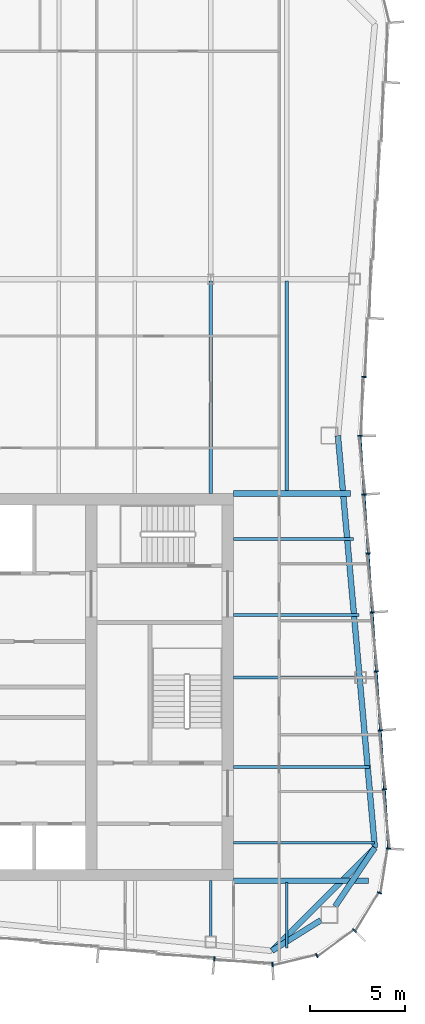
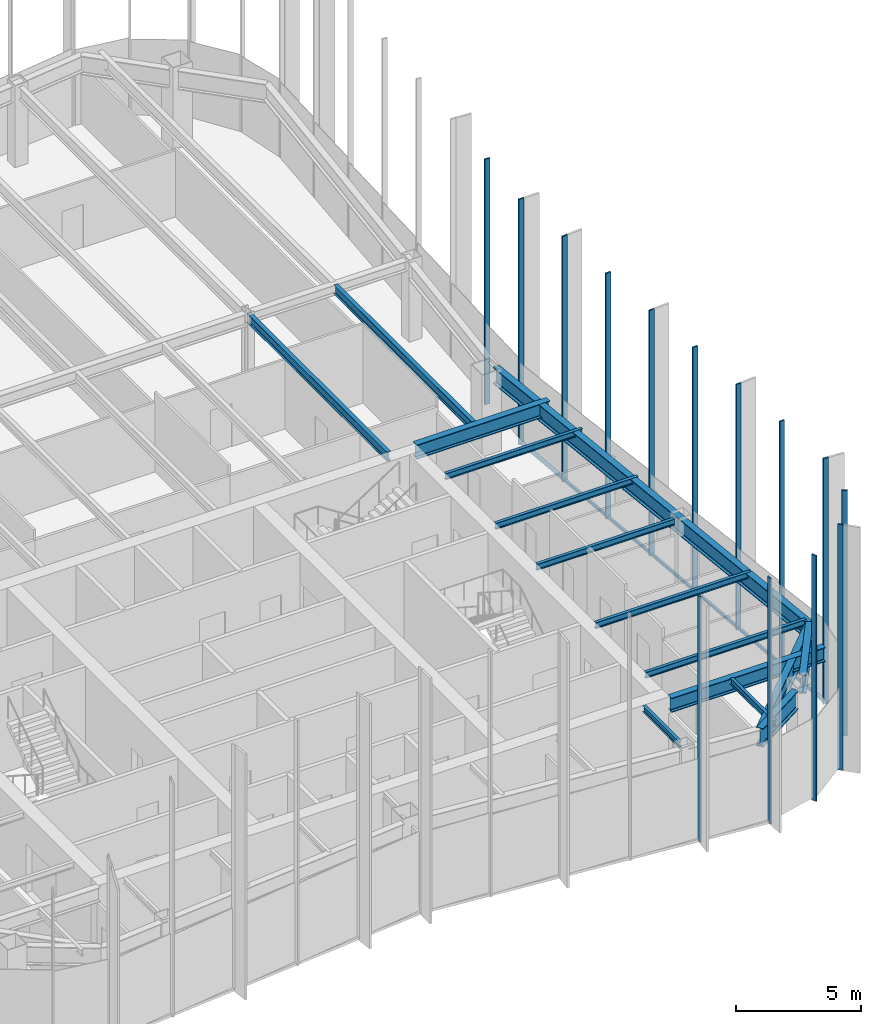
# One storey, part 5 of 13: 15 beams, 15 members, 3 elements without a shape of their own.
"""IFC4 building model written with IfcOpenShell, lengths in metres."""

from ifc_helpers import new_model, si_unit, direction, frame, origin, origin_2d, place, context, subcontext, project, spatial, rectangle, i_section, extrude, material, material_profile, profile_set, type_object, element, aggregate, save


model = new_model("IFC4")

# Units and contexts
model_context = context("Model", 3, precision=1e-05, world=origin(), true_north=direction((0.0, 1.0)))
body_context = subcontext(model_context, "Body", "Model", "MODEL_VIEW")
ifc_project = project(units=[si_unit("LENGTHUNIT", "METRE"), si_unit("AREAUNIT", "SQUARE_METRE"), si_unit("VOLUMEUNIT", "CUBIC_METRE"), si_unit("PLANEANGLEUNIT", "RADIAN"), si_unit("MASSUNIT", "GRAM", prefix="KILO")], contexts=[model_context])

# Site, building, storey
site_placement = place(None, origin())
site = spatial("IfcSite", under=ifc_project, at=site_placement, CompositionType="ELEMENT")
building_placement = place(site_placement, origin())
building = spatial("IfcBuilding", under=site, at=building_placement, Name="Verdant Reach Tower", CompositionType="ELEMENT")
storey_placement = place(building_placement, frame((0.0, 0.0, 306.0)))
storey = spatial("IfcBuildingStorey", under=building, at=storey_placement, Name="L70", CompositionType="ELEMENT", Elevation=306.0)

# Curtain wall, members
ifc_material_1 = material(Name="Anodised aluminium", Category="aluminium")
curtain_wall_type = type_object("IfcCurtainWallType", Name="EN-CW SYSTEM Z5", PredefinedType="NOTDEFINED", material=ifc_material_1)
curtain_wall_1_placement = place(storey_placement, origin())
curtain_wall_1 = element("IfcCurtainWall", 1, at=curtain_wall_1_placement, inside=storey, type_object=curtain_wall_type, Name="Curtain wall south-east corner, L70", PredefinedType="NOTDEFINED")
ifc_material_profile_1 = material_profile(ifc_material_1, rectangle(XDim=0.22998046875, YDim=0.070068359375, at=origin_2d()), Name="Mullion 70x230")
ifc_profile_set_1 = profile_set([ifc_material_profile_1], Name="Anodised aluminium")
member_type_1 = type_object("IfcMemberType", Name="EN-MULLION Z5", PredefinedType="MULLION", material=ifc_profile_set_1)
member_1_placement = place(storey_placement, frame((15.255615234375, 13.38525390625, -0.35009765625), z_axis=(0.0, 0.0, 1.0), x_axis=(0.049127596288, -0.998792510626, 0.0)))
member_1 = element("IfcMember", 2, at=member_1_placement, type_object=member_type_1, Name="Mullion south-east corner 1, L70", PredefinedType="MULLION", context=body_context, shape_type="SweptSolid", body=[
    extrude(rectangle(XDim=0.22998046875, YDim=0.070068359375, at=origin_2d()), origin(), (0.0, 0.0, 1.0), 12.0),
])
member_2_placement = place(storey_placement, frame((17.590087890625, 13.850341796875, -0.35009765625), z_axis=(0.0, 0.0, 1.0), x_axis=(0.382693853776, -0.923875215753, 0.0)))
member_2 = element("IfcMember", 3, at=member_2_placement, type_object=member_type_1, Name="Mullion south-east corner 2, L70", PredefinedType="MULLION", context=body_context, shape_type="SweptSolid", body=[
    extrude(rectangle(XDim=0.22998046875, YDim=0.070068359375, at=origin_2d()), origin(), (0.0, 0.0, 1.0), 12.0),
])
member_3_placement = place(storey_placement, frame((19.573974609375, 15.176025390625, -0.35009765625), z_axis=(0.0, 0.0, 1.0), x_axis=(0.707106781187, -0.707106781187, 0.0)))
member_3 = element("IfcMember", 4, at=member_3_placement, type_object=member_type_1, Name="Mullion south-east corner 3, L70", PredefinedType="MULLION", context=body_context, shape_type="SweptSolid", body=[
    extrude(rectangle(XDim=0.22998046875, YDim=0.070068359375, at=origin_2d()), origin(), (0.0, 0.0, 1.0), 12.0),
])
member_4_placement = place(storey_placement, frame((20.899658203125, 17.159912109375, -0.35009765625), z_axis=(0.0, 0.0, 1.0), x_axis=(0.923875215753, -0.382693853776, 0.0)))
member_4 = element("IfcMember", 5, at=member_4_placement, type_object=member_type_1, Name="Mullion south-east corner 4, L70", PredefinedType="MULLION", context=body_context, shape_type="SweptSolid", body=[
    extrude(rectangle(XDim=0.22998046875, YDim=0.070068359375, at=origin_2d()), origin(), (0.0, 0.0, 1.0), 12.0),
])
aggregate(curtain_wall_1, [member_1, member_2, member_3, member_4])

curtain_wall_2_placement = place(storey_placement, origin())
curtain_wall_2 = element("IfcCurtainWall", 6, at=curtain_wall_2_placement, inside=storey, type_object=curtain_wall_type, Name="Curtain wall east, L70", PredefinedType="NOTDEFINED")
member_5_placement = place(storey_placement, frame((21.36474609375, 19.49267578125, -0.35009765625), z_axis=(0.0, 0.0, 1.0), x_axis=(0.997969180898, -0.063698618332, 0.0)))
member_5 = element("IfcMember", 7, at=member_5_placement, type_object=member_type_1, Name="Mullion east face part 1 1, L70", PredefinedType="MULLION", context=body_context, shape_type="SweptSolid", body=[
    extrude(rectangle(XDim=0.22998046875, YDim=0.070068359375, at=origin_2d()), origin(), (0.0, 0.0, 1.0), 12.0),
])
member_6_placement = place(storey_placement, frame((21.150390625, 22.614990234375, -0.35009765625), z_axis=(0.0, 0.0, 1.0), x_axis=(0.997630328423, 0.068802091615, 0.0)))
member_6 = element("IfcMember", 8, at=member_6_placement, type_object=member_type_1, Name="Mullion east face part 1 2, L70", PredefinedType="MULLION", context=body_context, shape_type="SweptSolid", body=[
    extrude(rectangle(XDim=0.22998046875, YDim=0.070068359375, at=origin_2d()), origin(), (0.0, 0.0, 1.0), 12.0),
])
member_7_placement = place(storey_placement, frame((20.93603515625, 25.72216796875, -0.35009765625), z_axis=(0.0, 0.0, 1.0), x_axis=(0.997630328423, 0.068802091615, 0.0)))
member_7 = element("IfcMember", 9, at=member_7_placement, type_object=member_type_1, Name="Mullion east face part 1 3, L70", PredefinedType="MULLION", context=body_context, shape_type="SweptSolid", body=[
    extrude(rectangle(XDim=0.22998046875, YDim=0.070068359375, at=origin_2d()), origin(), (0.0, 0.0, 1.0), 12.0),
])
member_8_placement = place(storey_placement, frame((20.721923828125, 28.829345703125, -0.35009765625), z_axis=(0.0, 0.0, 1.0), x_axis=(0.997630328423, 0.068802091615, 0.0)))
member_8 = element("IfcMember", 10, at=member_8_placement, type_object=member_type_1, Name="Mullion east face part 1 4, L70", PredefinedType="MULLION", context=body_context, shape_type="SweptSolid", body=[
    extrude(rectangle(XDim=0.22998046875, YDim=0.070068359375, at=origin_2d()), origin(), (0.0, 0.0, 1.0), 12.0),
])
member_9_placement = place(storey_placement, frame((20.507568359375, 31.9365234375, -0.35009765625), z_axis=(0.0, 0.0, 1.0), x_axis=(0.997630328423, 0.068802091615, 0.0)))
member_9 = element("IfcMember", 11, at=member_9_placement, type_object=member_type_1, Name="Mullion east face part 1 5, L70", PredefinedType="MULLION", context=body_context, shape_type="SweptSolid", body=[
    extrude(rectangle(XDim=0.22998046875, YDim=0.070068359375, at=origin_2d()), origin(), (0.0, 0.0, 1.0), 12.0),
])
member_10_placement = place(storey_placement, frame((20.293212890625, 35.043701171875, -0.35009765625), z_axis=(0.0, 0.0, 1.0), x_axis=(0.997630328423, 0.068802091615, 0.0)))
member_10 = element("IfcMember", 12, at=member_10_placement, type_object=member_type_1, Name="Mullion east face part 1 6, L70", PredefinedType="MULLION", context=body_context, shape_type="SweptSolid", body=[
    extrude(rectangle(XDim=0.22998046875, YDim=0.070068359375, at=origin_2d()), origin(), (0.0, 0.0, 1.0), 12.0),
])
member_11_placement = place(storey_placement, frame((20.0791015625, 38.15087890625, -0.35009765625), z_axis=(0.0, 0.0, 1.0), x_axis=(0.997630328423, 0.068802091615, 0.0)))
member_11 = element("IfcMember", 13, at=member_11_placement, type_object=member_type_1, Name="Mullion east face part 1 7, L70", PredefinedType="MULLION", context=body_context, shape_type="SweptSolid", body=[
    extrude(rectangle(XDim=0.22998046875, YDim=0.070068359375, at=origin_2d()), origin(), (0.0, 0.0, 1.0), 12.0),
])
member_12_placement = place(storey_placement, frame((19.864990234375, 41.25, -0.35009765625), z_axis=(0.0, 0.0, 1.0), x_axis=(1.0, 0.0, 0.0)))
member_12 = element("IfcMember", 14, at=member_12_placement, type_object=member_type_1, Name="Mullion east face part 2 1, L70", PredefinedType="MULLION", context=body_context, shape_type="SweptSolid", body=[
    extrude(rectangle(XDim=0.22998046875, YDim=0.070068359375, at=origin_2d()), origin(), (0.0, 0.0, 1.0), 12.0),
])
member_13_placement = place(storey_placement, frame((20.0791015625, 44.34912109375, -0.35009765625), z_axis=(0.0, 0.0, 1.0), x_axis=(0.997630328423, -0.068802091615, 0.0)))
member_13 = element("IfcMember", 15, at=member_13_placement, type_object=member_type_1, Name="Mullion east face part 2 2, L70", PredefinedType="MULLION", context=body_context, shape_type="SweptSolid", body=[
    extrude(rectangle(XDim=0.22998046875, YDim=0.070068359375, at=origin_2d()), origin(), (0.0, 0.0, 1.0), 12.0),
])

# Curtain wall, member
curtain_wall_3_placement = place(storey_placement, origin())
curtain_wall_3 = element("IfcCurtainWall", 16, at=curtain_wall_3_placement, inside=storey, type_object=curtain_wall_type, Name="Curtain wall south, L70", PredefinedType="NOTDEFINED")
member_14_placement = place(storey_placement, frame((12.188720703125, 13.685546875, -0.35009765625), z_axis=(0.0, 0.0, 1.0), x_axis=(-0.09788826992, -0.995197410875, 0.0)))
member_14 = element("IfcMember", 17, at=member_14_placement, type_object=member_type_1, Name="Mullion south face part 2 5, L70", PredefinedType="MULLION", context=body_context, shape_type="SweptSolid", body=[
    extrude(rectangle(XDim=0.22998046875, YDim=0.070068359375, at=origin_2d()), origin(), (0.0, 0.0, 1.0), 12.0),
])
aggregate(curtain_wall_3, [member_14])

# Member
ifc_material_profile_2 = material_profile(ifc_material_1, rectangle(XDim=0.10009765625, YDim=0.1298828125, at=origin_2d()), Name="Transom 130x100")
ifc_profile_set_2 = profile_set([ifc_material_profile_2], Name="Anodised aluminium")
member_type_2 = type_object("IfcMemberType", Name="EN-TRANSOM Z5", PredefinedType="USERDEFINED", material=ifc_profile_set_2)
member_15_placement = place(storey_placement, frame((21.3623046875, 19.527587890625, -0.284912109375), z_axis=(-0.068764705107, 0.997632906099, 0.0), x_axis=(-0.997632906099, -0.068764705107, 0.0)))
member_15 = element("IfcMember", 18, at=member_15_placement, type_object=member_type_2, Name="Transom east face part 1 1.1, L70", ObjectType="TRANSOM", PredefinedType="USERDEFINED", context=body_context, shape_type="SweptSolid", body=[
    extrude(rectangle(XDim=0.10009765625, YDim=0.1298828125, at=origin_2d()), origin(), (0.0, 0.0, 1.0), 21.739013671875),
])

aggregate(curtain_wall_2, [member_5, member_6, member_7, member_8, member_9, member_10, member_11, member_15, member_12, member_13])

# Beams
ifc_material_2 = material(Name="Steel S355", Category="steel")
ifc_material_profile_3 = material_profile(ifc_material_2, i_section(OverallWidth=0.300048828125, OverallDepth=0.699951171875, WebThickness=0.01708984375, FlangeThickness=0.031982421875, FilletRadius=0.027099609375, at=origin_2d()), Name="HEB 700")
ifc_profile_set_3 = profile_set([ifc_material_profile_3], Name="Steel S355")
beam_type_1 = type_object("IfcBeamType", Name="ST-BEAM-HEB700", PredefinedType="BEAM", material=ifc_profile_set_3)
beam_1_placement = place(storey_placement, frame((13.199951171875, 38.199951171875, 3.52001953125), z_axis=(1.0, 0.0, 0.0), x_axis=(0.0, 1.0, 0.0)))
element("IfcBeam", 19, at=beam_1_placement, inside=storey, type_object=beam_type_1, Name="Trimmer beam, L70", PredefinedType="BEAM", context=body_context, shape_type="SweptSolid", body=[
    extrude(i_section(OverallWidth=0.300048828125, OverallDepth=0.699951171875, WebThickness=0.01708984375, FlangeThickness=0.031982421875, FilletRadius=0.027099609375, at=origin_2d()), origin(), (0.0, 0.0, 1.0), 6.158935546875),
])
beam_2_placement = place(storey_placement, frame((13.199951171875, 17.800048828125, 3.52001953125), z_axis=(1.0, 0.0, 0.0), x_axis=(0.0, 1.0, 0.0)))
element("IfcBeam", 20, at=beam_2_placement, inside=storey, type_object=beam_type_1, Name="Trimmer beam, L70", PredefinedType="BEAM", context=body_context, shape_type="SweptSolid", body=[
    extrude(i_section(OverallWidth=0.300048828125, OverallDepth=0.699951171875, WebThickness=0.01708984375, FlangeThickness=0.031982421875, FilletRadius=0.027099609375, at=origin_2d()), origin(), (0.0, 0.0, 1.0), 7.10009765625),
])
ifc_material_profile_4 = material_profile(ifc_material_2, i_section(OverallWidth=0.302001953125, OverallDepth=0.909912109375, WebThickness=0.02099609375, FlangeThickness=0.0400390625, FilletRadius=0.030029296875, at=origin_2d()), Name="HEM 900")
ifc_profile_set_4 = profile_set([ifc_material_profile_4], Name="Steel S355")
beam_type_2 = type_object("IfcBeamType", Name="ST-BEAM-HEM900", PredefinedType="BEAM", material=ifc_profile_set_4)
beam_3_placement = place(storey_placement, frame((17.800048828125, 15.71875, 3.4150390625), z_axis=(-0.847903624467, -0.530150397166, 0.0), x_axis=(0.530150397166, -0.847903624467, 0.0)))
element("IfcBeam", 21, at=beam_3_placement, inside=storey, type_object=beam_type_2, Name="Column stub beam, L70", PredefinedType="BEAM", context=body_context, shape_type="SweptSolid", body=[
    extrude(i_section(OverallWidth=0.302001953125, OverallDepth=0.909912109375, WebThickness=0.02099609375, FlangeThickness=0.0400390625, FilletRadius=0.030029296875, at=origin_2d()), origin(), (0.0, 0.0, 1.0), 3.042724609375),
])
beam_4_placement = place(storey_placement, frame((18.5546875, 16.449951171875, 3.4150390625), z_axis=(0.560667226688, 0.828041219335, 0.0), x_axis=(-0.828041219335, 0.560667226688, 0.0)))
element("IfcBeam", 22, at=beam_4_placement, inside=storey, type_object=beam_type_2, Name="Column stub beam, L70", PredefinedType="BEAM", context=body_context, shape_type="SweptSolid", body=[
    extrude(i_section(OverallWidth=0.302001953125, OverallDepth=0.909912109375, WebThickness=0.02099609375, FlangeThickness=0.0400390625, FilletRadius=0.030029296875, at=origin_2d()), origin(), (0.0, 0.0, 1.0), 3.72998046875),
])
ifc_material_profile_5 = material_profile(ifc_material_2, i_section(OverallWidth=0.14990234375, OverallDepth=0.300048828125, WebThickness=0.007080078125, FlangeThickness=0.0107421875, FilletRadius=0.014892578125, at=origin_2d()), Name="IPE 300")
ifc_profile_set_5 = profile_set([ifc_material_profile_5], Name="Steel S355")
beam_type_3 = type_object("IfcBeamType", Name="ST-JOIST-IPE300", PredefinedType="JOIST", material=ifc_profile_set_5)
beam_5_placement = place(storey_placement, frame((12.0, 17.800048828125, 3.719970703125), z_axis=(0.0, -1.0, 0.0), x_axis=(1.0, 0.0, 0.0)))
element("IfcBeam", 23, at=beam_5_placement, inside=storey, type_object=beam_type_3, Name="Floor joist, L70", PredefinedType="JOIST", context=body_context, shape_type="SweptSolid", body=[
    extrude(i_section(OverallWidth=0.14990234375, OverallDepth=0.300048828125, WebThickness=0.007080078125, FlangeThickness=0.0107421875, FilletRadius=0.014892578125, at=origin_2d()), origin(), (0.0, 0.0, 1.0), 2.930419921875),
])
beam_6_placement = place(storey_placement, frame((16.0, 17.699951171875, 3.719970703125), z_axis=(0.0, -1.0, 0.0), x_axis=(1.0, 0.0, 0.0)))
element("IfcBeam", 24, at=beam_6_placement, inside=storey, type_object=beam_type_3, Name="Floor joist, L70", PredefinedType="JOIST", context=body_context, shape_type="SweptSolid", body=[
    extrude(i_section(OverallWidth=0.14990234375, OverallDepth=0.300048828125, WebThickness=0.007080078125, FlangeThickness=0.0107421875, FilletRadius=0.014892578125, at=origin_2d()), origin(), (0.0, 0.0, 1.0), 3.43896484375),
])
beam_7_placement = place(storey_placement, frame((13.199951171875, 19.800048828125, 3.719970703125), z_axis=(1.0, 0.0, 0.0), x_axis=(0.0, 1.0, 0.0)))
element("IfcBeam", 25, at=beam_7_placement, inside=storey, type_object=beam_type_3, Name="Floor joist, L70", PredefinedType="JOIST", context=body_context, shape_type="SweptSolid", body=[
    extrude(i_section(OverallWidth=0.14990234375, OverallDepth=0.300048828125, WebThickness=0.007080078125, FlangeThickness=0.0107421875, FilletRadius=0.014892578125, at=origin_2d()), origin(), (0.0, 0.0, 1.0), 7.427978515625),
])
beam_8_placement = place(storey_placement, frame((13.199951171875, 23.800048828125, 3.719970703125), z_axis=(1.0, 0.0, 0.0), x_axis=(0.0, 1.0, 0.0)))
element("IfcBeam", 26, at=beam_8_placement, inside=storey, type_object=beam_type_3, Name="Floor joist, L70", PredefinedType="JOIST", context=body_context, shape_type="SweptSolid", body=[
    extrude(i_section(OverallWidth=0.14990234375, OverallDepth=0.300048828125, WebThickness=0.007080078125, FlangeThickness=0.0107421875, FilletRadius=0.014892578125, at=origin_2d()), origin(), (0.0, 0.0, 1.0), 7.152099609375),
])
beam_9_placement = place(storey_placement, frame((13.199951171875, 28.5, 3.719970703125), z_axis=(1.0, 0.0, 0.0), x_axis=(0.0, 1.0, 0.0)))
element("IfcBeam", 27, at=beam_9_placement, inside=storey, type_object=beam_type_3, Name="Floor joist, L70", PredefinedType="JOIST", context=body_context, shape_type="SweptSolid", body=[
    extrude(i_section(OverallWidth=0.14990234375, OverallDepth=0.300048828125, WebThickness=0.007080078125, FlangeThickness=0.0107421875, FilletRadius=0.014892578125, at=origin_2d()), origin(), (0.0, 0.0, 1.0), 6.37939453125),
])
beam_10_placement = place(storey_placement, frame((13.199951171875, 31.800048828125, 3.719970703125), z_axis=(1.0, 0.0, 0.0), x_axis=(0.0, 1.0, 0.0)))
element("IfcBeam", 28, at=beam_10_placement, inside=storey, type_object=beam_type_3, Name="Floor joist, L70", PredefinedType="JOIST", context=body_context, shape_type="SweptSolid", body=[
    extrude(i_section(OverallWidth=0.14990234375, OverallDepth=0.300048828125, WebThickness=0.007080078125, FlangeThickness=0.0107421875, FilletRadius=0.014892578125, at=origin_2d()), origin(), (0.0, 0.0, 1.0), 6.600341796875),
])
beam_11_placement = place(storey_placement, frame((13.199951171875, 35.800048828125, 3.719970703125), z_axis=(1.0, 0.0, 0.0), x_axis=(0.0, 1.0, 0.0)))
element("IfcBeam", 29, at=beam_11_placement, inside=storey, type_object=beam_type_3, Name="Floor joist, L70", PredefinedType="JOIST", context=body_context, shape_type="SweptSolid", body=[
    extrude(i_section(OverallWidth=0.14990234375, OverallDepth=0.300048828125, WebThickness=0.007080078125, FlangeThickness=0.0107421875, FilletRadius=0.014892578125, at=origin_2d()), origin(), (0.0, 0.0, 1.0), 6.324462890625),
])
ifc_material_profile_6 = material_profile(ifc_material_2, i_section(OverallWidth=0.18994140625, OverallDepth=0.449951171875, WebThickness=0.009521484375, FlangeThickness=0.0146484375, FilletRadius=0.02099609375, at=origin_2d()), Name="IPE 450")
ifc_profile_set_6 = profile_set([ifc_material_profile_6], Name="Steel S355")
beam_type_4 = type_object("IfcBeamType", Name="ST-JOIST-IPE450", PredefinedType="JOIST", material=ifc_profile_set_6)
beam_12_placement = place(storey_placement, frame((12.0, 38.199951171875, 3.64501953125), z_axis=(0.0, 1.0, 0.0), x_axis=(-1.0, 0.0, 0.0)))
element("IfcBeam", 30, at=beam_12_placement, inside=storey, type_object=beam_type_4, Name="Floor joist, L70", PredefinedType="JOIST", context=body_context, shape_type="SweptSolid", body=[
    extrude(i_section(OverallWidth=0.18994140625, OverallDepth=0.449951171875, WebThickness=0.009521484375, FlangeThickness=0.0146484375, FilletRadius=0.02099609375, at=origin_2d()), origin(), (0.0, 0.0, 1.0), 11.199951171875),
])
beam_13_placement = place(storey_placement, frame((16.0, 38.300048828125, 3.64501953125), z_axis=(0.0, 1.0, 0.0), x_axis=(-1.0, 0.0, 0.0)))
element("IfcBeam", 31, at=beam_13_placement, inside=storey, type_object=beam_type_4, Name="Floor joist, L70", PredefinedType="JOIST", context=body_context, shape_type="SweptSolid", body=[
    extrude(i_section(OverallWidth=0.18994140625, OverallDepth=0.449951171875, WebThickness=0.009521484375, FlangeThickness=0.0146484375, FilletRadius=0.02099609375, at=origin_2d()), origin(), (0.0, 0.0, 1.0), 11.099853515625),
])
ifc_material_profile_7 = material_profile(ifc_material_2, i_section(OverallWidth=0.300048828125, OverallDepth=0.800048828125, WebThickness=0.017578125, FlangeThickness=0.032958984375, FilletRadius=0.030029296875, at=origin_2d()), Name="HEB 800")
ifc_profile_set_7 = profile_set([ifc_material_profile_7], Name="Steel S355")
beam_type_5 = type_object("IfcBeamType", Name="ST-SPANDREL-HEB800", PredefinedType="SPANDREL", material=ifc_profile_set_7)
beam_14_placement = place(storey_placement, frame((18.699951171875, 41.25, 3.469970703125), z_axis=(0.089274399498, -0.996007069048, 0.0), x_axis=(0.996007069048, 0.089274399498, 0.0)))
element("IfcBeam", 32, at=beam_14_placement, inside=storey, type_object=beam_type_5, Name="Edge beam, L70", PredefinedType="SPANDREL", context=body_context, shape_type="SweptSolid", body=[
    extrude(i_section(OverallWidth=0.300048828125, OverallDepth=0.800048828125, WebThickness=0.017578125, FlangeThickness=0.032958984375, FilletRadius=0.030029296875, at=origin_2d()), origin(), (0.0, 0.0, 1.0), 21.798583984375),
])
ifc_material_profile_8 = material_profile(ifc_material_2, i_section(OverallWidth=0.302001953125, OverallDepth=0.909912109375, WebThickness=0.02099609375, FlangeThickness=0.0400390625, FilletRadius=0.030029296875, at=origin_2d()), Name="HEM 900")
ifc_profile_set_8 = profile_set([ifc_material_profile_8], Name="Steel S355")
beam_type_6 = type_object("IfcBeamType", Name="ST-SPANDREL-HEM900", PredefinedType="SPANDREL", material=ifc_profile_set_8)
beam_15_placement = place(storey_placement, frame((20.64599609375, 19.53857421875, 3.4150390625), z_axis=(-0.706645581521, -0.707567680237, 0.0), x_axis=(0.707567680237, -0.706645581521, 0.0)))
element("IfcBeam", 33, at=beam_15_placement, inside=storey, type_object=beam_type_6, Name="Edge beam, L70", PredefinedType="SPANDREL", context=body_context, shape_type="SweptSolid", body=[
    extrude(i_section(OverallWidth=0.302001953125, OverallDepth=0.909912109375, WebThickness=0.02099609375, FlangeThickness=0.0400390625, FilletRadius=0.030029296875, at=origin_2d()), origin(), (0.0, 0.0, 1.0), 7.67822265625),
])

save(model, "model.ifc")
